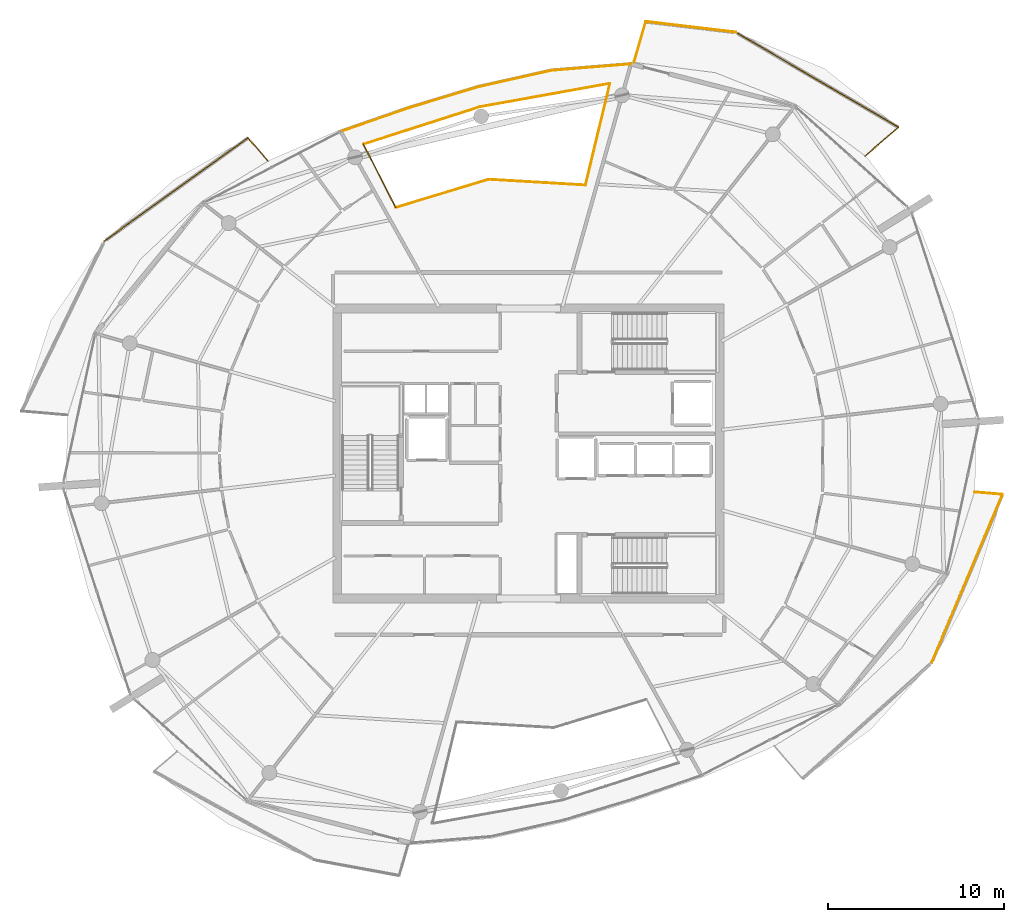
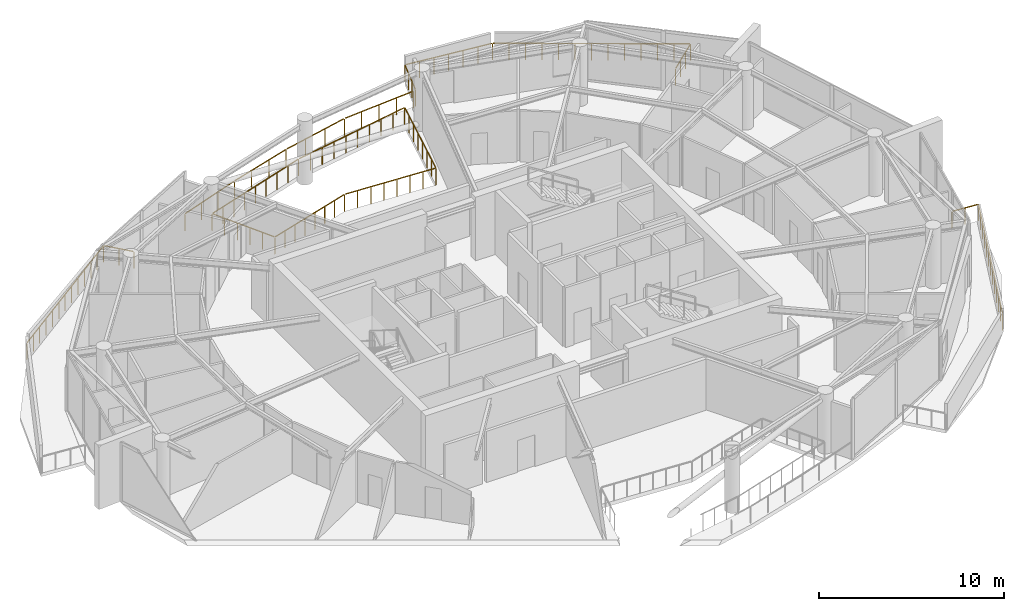
# One storey, part 22 of 22: 15 railings.
"""IFC4 building model written with IfcOpenShell, lengths in metres."""

from ifc_helpers import new_model, si_unit, direction, frame, origin, origin_2d, place, context, subcontext, project, spatial, rectangle, extrude, material, type_object, element, save


model = new_model("IFC4")

# Units and contexts
model_context = context("Model", 3, precision=1e-05, world=origin(), true_north=direction((0.0, 1.0)))
body_context = subcontext(model_context, "Body", "Model", "MODEL_VIEW")
ifc_project = project(units=[si_unit("LENGTHUNIT", "METRE"), si_unit("AREAUNIT", "SQUARE_METRE"), si_unit("VOLUMEUNIT", "CUBIC_METRE"), si_unit("PLANEANGLEUNIT", "RADIAN"), si_unit("MASSUNIT", "GRAM", prefix="KILO")], contexts=[model_context])

# Site, building, storey
site_placement = place(None, origin())
site = spatial("IfcSite", under=ifc_project, at=site_placement, CompositionType="ELEMENT")
building_placement = place(site_placement, origin())
building = spatial("IfcBuilding", under=site, at=building_placement, Name="Kazma Halo Residences", CompositionType="ELEMENT")
storey_placement = place(building_placement, frame((0.0, 0.0, 322.10009765625)))
storey = spatial("IfcBuildingStorey", under=building, at=storey_placement, Name="L81", CompositionType="ELEMENT", Elevation=322.10009765625)

# Railings
ifc_material_1 = material(Name="Aluminium AW-6063 T6 Brushed Cap Rail", Category="aluminium")
railing_type_1 = type_object("IfcRailingType", Name="RLG-BAL-CAP-1120", PredefinedType="BALUSTRADE", material=ifc_material_1)
railing_1_placement = place(storey_placement, frame((67.578369140625, 58.929443359375, 0.0)))
element("IfcRailing", 1, at=railing_1_placement, inside=storey, type_object=railing_type_1, Name="L81 NE wave balcony guard 1", PredefinedType="BALUSTRADE", context=body_context, shape_type="SweptSolid", body=[
    extrude(rectangle(XDim=0.050048828125, YDim=0.050048828125, at=origin_2d()), frame((0.0322265625, 0.02783203125, 1.09521484375), z_axis=(0.756399857186, 0.654109513805, 0.0), x_axis=(-0.654109513805, 0.756399857186, 0.0)), (0.0, 0.0, 1.0), 2.40673828125),
    extrude(rectangle(XDim=0.0400390625, YDim=0.0400390625, at=origin_2d()), origin(), (0.0, 0.0, 1.0), 1.05810546875),
    extrude(rectangle(XDim=0.0400390625, YDim=0.0400390625, at=origin_2d()), frame((0.628173828125, 0.543212890625, 0.0)), (0.0, 0.0, 1.0), 1.05810546875),
    extrude(rectangle(XDim=0.0400390625, YDim=0.0400390625, at=origin_2d()), frame((1.256591796875, 1.086669921875, 0.0)), (0.0, 0.0, 1.0), 1.05810546875),
    extrude(rectangle(XDim=0.0400390625, YDim=0.0400390625, at=origin_2d()), frame((1.884765625, 1.6298828125, 0.0)), (0.0, 0.0, 1.0), 1.05810546875),
])
railing_2_placement = place(storey_placement, frame((69.463134765625, 60.559326171875, 0.0)))
element("IfcRailing", 2, at=railing_2_placement, inside=storey, type_object=railing_type_1, Name="L81 NE wave balcony guard 2", PredefinedType="BALUSTRADE", context=body_context, shape_type="SweptSolid", body=[
    extrude(rectangle(XDim=0.050048828125, YDim=0.050048828125, at=origin_2d()), frame((-0.03662109375, 0.021484375, 1.09521484375), z_axis=(-0.863581334001, 0.504209559176, 0.0), x_axis=(-0.504209559176, -0.863581334001, 0.0)), (0.0, 0.0, 1.0), 10.63037109375),
    extrude(rectangle(XDim=0.0400390625, YDim=0.0400390625, at=origin_2d()), origin(), (0.0, 0.0, 1.0), 1.05810546875),
    extrude(rectangle(XDim=0.0400390625, YDim=0.0400390625, at=origin_2d()), frame((-0.771240234375, 0.4501953125, 0.0)), (0.0, 0.0, 1.0), 1.05810546875),
    extrude(rectangle(XDim=0.0400390625, YDim=0.0400390625, at=origin_2d()), frame((-1.542236328125, 0.900390625, 0.0)), (0.0, 0.0, 1.0), 1.05810546875),
    extrude(rectangle(XDim=0.0400390625, YDim=0.0400390625, at=origin_2d()), frame((-2.3134765625, 1.3505859375, 0.0)), (0.0, 0.0, 1.0), 1.05810546875),
    extrude(rectangle(XDim=0.0400390625, YDim=0.0400390625, at=origin_2d()), frame((-3.08447265625, 1.801025390625, 0.0)), (0.0, 0.0, 1.0), 1.05810546875),
    extrude(rectangle(XDim=0.0400390625, YDim=0.0400390625, at=origin_2d()), frame((-3.855712890625, 2.251220703125, 0.0)), (0.0, 0.0, 1.0), 1.05810546875),
    extrude(rectangle(XDim=0.0400390625, YDim=0.0400390625, at=origin_2d()), frame((-4.626953125, 2.701416015625, 0.0)), (0.0, 0.0, 1.0), 1.05810546875),
    extrude(rectangle(XDim=0.0400390625, YDim=0.0400390625, at=origin_2d()), frame((-5.39794921875, 3.151611328125, 0.0)), (0.0, 0.0, 1.0), 1.05810546875),
    extrude(rectangle(XDim=0.0400390625, YDim=0.0400390625, at=origin_2d()), frame((-6.169189453125, 3.601806640625, 0.0)), (0.0, 0.0, 1.0), 1.05810546875),
    extrude(rectangle(XDim=0.0400390625, YDim=0.0400390625, at=origin_2d()), frame((-6.940185546875, 4.05224609375, 0.0)), (0.0, 0.0, 1.0), 1.05810546875),
    extrude(rectangle(XDim=0.0400390625, YDim=0.0400390625, at=origin_2d()), frame((-7.71142578125, 4.50244140625, 0.0)), (0.0, 0.0, 1.0), 1.05810546875),
    extrude(rectangle(XDim=0.0400390625, YDim=0.0400390625, at=origin_2d()), frame((-8.482421875, 4.95263671875, 0.0)), (0.0, 0.0, 1.0), 1.05810546875),
    extrude(rectangle(XDim=0.0400390625, YDim=0.0400390625, at=origin_2d()), frame((-9.253662109375, 5.40283203125, 0.0)), (0.0, 0.0, 1.0), 1.05810546875),
])
railing_3_placement = place(storey_placement, frame((60.20947265625, 65.962158203125, 0.0)))
element("IfcRailing", 3, at=railing_3_placement, inside=storey, type_object=railing_type_1, Name="L81 NE wave balcony guard 3", PredefinedType="BALUSTRADE", context=body_context, shape_type="SweptSolid", body=[
    extrude(rectangle(XDim=0.050048828125, YDim=0.050048828125, at=origin_2d()), frame((-0.042236328125, 0.005126953125, 1.09521484375), z_axis=(-0.993029786506, 0.11786366324, 0.0), x_axis=(-0.11786366324, -0.993029786506, 0.0)), (0.0, 0.0, 1.0), 5.068603515625),
    extrude(rectangle(XDim=0.0400390625, YDim=0.0400390625, at=origin_2d()), origin(), (0.0, 0.0, 1.0), 1.05810546875),
    extrude(rectangle(XDim=0.0400390625, YDim=0.0400390625, at=origin_2d()), frame((-0.85302734375, 0.101318359375, 0.0)), (0.0, 0.0, 1.0), 1.05810546875),
    extrude(rectangle(XDim=0.0400390625, YDim=0.0400390625, at=origin_2d()), frame((-1.705810546875, 0.202392578125, 0.0)), (0.0, 0.0, 1.0), 1.05810546875),
    extrude(rectangle(XDim=0.0400390625, YDim=0.0400390625, at=origin_2d()), frame((-2.558837890625, 0.3037109375, 0.0)), (0.0, 0.0, 1.0), 1.05810546875),
    extrude(rectangle(XDim=0.0400390625, YDim=0.0400390625, at=origin_2d()), frame((-3.411865234375, 0.405029296875, 0.0)), (0.0, 0.0, 1.0), 1.05810546875),
    extrude(rectangle(XDim=0.0400390625, YDim=0.0400390625, at=origin_2d()), frame((-4.2646484375, 0.506103515625, 0.0)), (0.0, 0.0, 1.0), 1.05810546875),
    extrude(rectangle(XDim=0.0400390625, YDim=0.0400390625, at=origin_2d()), frame((-5.11767578125, 0.607421875, 0.0)), (0.0, 0.0, 1.0), 1.05810546875),
])
railing_4_placement = place(storey_placement, frame((55.091796875, 66.569580078125, 0.0)))
element("IfcRailing", 4, at=railing_4_placement, inside=storey, type_object=railing_type_1, Name="L81 NE wave balcony guard 4", PredefinedType="BALUSTRADE", context=body_context, shape_type="SweptSolid", body=[
    extrude(rectangle(XDim=0.050048828125, YDim=0.050048828125, at=origin_2d()), frame((-0.01171875, -0.040771484375, 1.09521484375), z_axis=(-0.277369270014, -0.960763388172, 0.0), x_axis=(0.960763388172, -0.277369270014, 0.0)), (0.0, 0.0, 1.0), 2.324951171875),
    extrude(rectangle(XDim=0.0400390625, YDim=0.0400390625, at=origin_2d()), origin(), (0.0, 0.0, 1.0), 1.05810546875),
    extrude(rectangle(XDim=0.0400390625, YDim=0.0400390625, at=origin_2d()), frame((-0.222900390625, -0.771728515625, 0.0)), (0.0, 0.0, 1.0), 1.05810546875),
    extrude(rectangle(XDim=0.0400390625, YDim=0.0400390625, at=origin_2d()), frame((-0.445556640625, -1.543701171875, 0.0)), (0.0, 0.0, 1.0), 1.05810546875),
    extrude(rectangle(XDim=0.0400390625, YDim=0.0400390625, at=origin_2d()), frame((-0.66845703125, -2.3154296875, 0.0)), (0.0, 0.0, 1.0), 1.05810546875),
])
railing_5_placement = place(storey_placement, frame((33.61181640625, 58.639404296875, 0.0)))
element("IfcRailing", 5, at=railing_5_placement, inside=storey, type_object=railing_type_1, Name="L81 NW wave balcony guard 1", PredefinedType="BALUSTRADE", context=body_context, shape_type="SweptSolid", body=[
    extrude(rectangle(XDim=0.050048828125, YDim=0.050048828125, at=origin_2d()), frame((-0.02783203125, 0.0322265625, 1.09521484375), z_axis=(-0.6540417477, 0.75645845376, 0.0), x_axis=(-0.75645845376, -0.6540417477, 0.0)), (0.0, 0.0, 1.0), 1.662353515625),
    extrude(rectangle(XDim=0.0400390625, YDim=0.0400390625, at=origin_2d()), origin(), (0.0, 0.0, 1.0), 1.05810546875),
    extrude(rectangle(XDim=0.0400390625, YDim=0.0400390625, at=origin_2d()), frame((-0.5712890625, 0.660888671875, 0.0)), (0.0, 0.0, 1.0), 1.05810546875),
    extrude(rectangle(XDim=0.0400390625, YDim=0.0400390625, at=origin_2d()), frame((-1.142822265625, 1.32177734375, 0.0)), (0.0, 0.0, 1.0), 1.05810546875),
])
railing_6_placement = place(storey_placement, frame((32.468994140625, 59.961181640625, 0.0)))
element("IfcRailing", 6, at=railing_6_placement, inside=storey, type_object=railing_type_1, Name="L81 NW wave balcony guard 2", PredefinedType="BALUSTRADE", context=body_context, shape_type="SweptSolid", body=[
    extrude(rectangle(XDim=0.050048828125, YDim=0.050048828125, at=origin_2d()), frame((-0.034423828125, -0.02490234375, 1.09521484375), z_axis=(-0.812017165891, -0.583633551382, 0.0), x_axis=(0.583633551382, -0.812017165891, 0.0)), (0.0, 0.0, 1.0), 9.989013671875),
    extrude(rectangle(XDim=0.0400390625, YDim=0.0400390625, at=origin_2d()), origin(), (0.0, 0.0, 1.0), 1.05810546875),
    extrude(rectangle(XDim=0.0400390625, YDim=0.0400390625, at=origin_2d()), frame((-0.681640625, -0.489990234375, 0.0)), (0.0, 0.0, 1.0), 1.05810546875),
    extrude(rectangle(XDim=0.0400390625, YDim=0.0400390625, at=origin_2d()), frame((-1.36328125, -0.97998046875, 0.0)), (0.0, 0.0, 1.0), 1.05810546875),
    extrude(rectangle(XDim=0.0400390625, YDim=0.0400390625, at=origin_2d()), frame((-2.045166015625, -1.469970703125, 0.0)), (0.0, 0.0, 1.0), 1.05810546875),
    extrude(rectangle(XDim=0.0400390625, YDim=0.0400390625, at=origin_2d()), frame((-2.726806640625, -1.9599609375, 0.0)), (0.0, 0.0, 1.0), 1.05810546875),
    extrude(rectangle(XDim=0.0400390625, YDim=0.0400390625, at=origin_2d()), frame((-3.408447265625, -2.449951171875, 0.0)), (0.0, 0.0, 1.0), 1.05810546875),
    extrude(rectangle(XDim=0.0400390625, YDim=0.0400390625, at=origin_2d()), frame((-4.09033203125, -2.93994140625, 0.0)), (0.0, 0.0, 1.0), 1.05810546875),
    extrude(rectangle(XDim=0.0400390625, YDim=0.0400390625, at=origin_2d()), frame((-4.77197265625, -3.4296875, 0.0)), (0.0, 0.0, 1.0), 1.05810546875),
    extrude(rectangle(XDim=0.0400390625, YDim=0.0400390625, at=origin_2d()), frame((-5.45361328125, -3.919677734375, 0.0)), (0.0, 0.0, 1.0), 1.05810546875),
    extrude(rectangle(XDim=0.0400390625, YDim=0.0400390625, at=origin_2d()), frame((-6.13525390625, -4.40966796875, 0.0)), (0.0, 0.0, 1.0), 1.05810546875),
    extrude(rectangle(XDim=0.0400390625, YDim=0.0400390625, at=origin_2d()), frame((-6.81689453125, -4.899658203125, 0.0)), (0.0, 0.0, 1.0), 1.05810546875),
    extrude(rectangle(XDim=0.0400390625, YDim=0.0400390625, at=origin_2d()), frame((-7.498779296875, -5.3896484375, 0.0)), (0.0, 0.0, 1.0), 1.05810546875),
    extrude(rectangle(XDim=0.0400390625, YDim=0.0400390625, at=origin_2d()), frame((-8.180419921875, -5.879638671875, 0.0)), (0.0, 0.0, 1.0), 1.05810546875),
])
railing_7_placement = place(storey_placement, frame((71.356689453125, 30.09912109375, 0.0)))
element("IfcRailing", 7, at=railing_7_placement, inside=storey, type_object=railing_type_1, Name="L81 SE wave balcony guard 3", PredefinedType="BALUSTRADE", context=body_context, shape_type="SweptSolid", body=[
    extrude(rectangle(XDim=0.050048828125, YDim=0.050048828125, at=origin_2d()), frame((0.0166015625, 0.039306640625, 1.09521484375), z_axis=(0.38744861848, 0.92189129947, 0.0), x_axis=(-0.92189129947, 0.38744861848, 0.0)), (0.0, 0.0, 1.0), 10.3037109375),
    extrude(rectangle(XDim=0.0400390625, YDim=0.0400390625, at=origin_2d()), origin(), (0.0, 0.0, 1.0), 1.05810546875),
    extrude(rectangle(XDim=0.0400390625, YDim=0.0400390625, at=origin_2d()), frame((0.33544921875, 0.798095703125, 0.0)), (0.0, 0.0, 1.0), 1.05810546875),
    extrude(rectangle(XDim=0.0400390625, YDim=0.0400390625, at=origin_2d()), frame((0.6708984375, 1.59619140625, 0.0)), (0.0, 0.0, 1.0), 1.05810546875),
    extrude(rectangle(XDim=0.0400390625, YDim=0.0400390625, at=origin_2d()), frame((1.00634765625, 2.394287109375, 0.0)), (0.0, 0.0, 1.0), 1.05810546875),
    extrude(rectangle(XDim=0.0400390625, YDim=0.0400390625, at=origin_2d()), frame((1.341796875, 3.1923828125, 0.0)), (0.0, 0.0, 1.0), 1.05810546875),
    extrude(rectangle(XDim=0.0400390625, YDim=0.0400390625, at=origin_2d()), frame((1.67724609375, 3.990478515625, 0.0)), (0.0, 0.0, 1.0), 1.05810546875),
    extrude(rectangle(XDim=0.0400390625, YDim=0.0400390625, at=origin_2d()), frame((2.0126953125, 4.78857421875, 0.0)), (0.0, 0.0, 1.0), 1.05810546875),
    extrude(rectangle(XDim=0.0400390625, YDim=0.0400390625, at=origin_2d()), frame((2.347900390625, 5.5869140625, 0.0)), (0.0, 0.0, 1.0), 1.05810546875),
    extrude(rectangle(XDim=0.0400390625, YDim=0.0400390625, at=origin_2d()), frame((2.683349609375, 6.385009765625, 0.0)), (0.0, 0.0, 1.0), 1.05810546875),
    extrude(rectangle(XDim=0.0400390625, YDim=0.0400390625, at=origin_2d()), frame((3.018798828125, 7.18310546875, 0.0)), (0.0, 0.0, 1.0), 1.05810546875),
    extrude(rectangle(XDim=0.0400390625, YDim=0.0400390625, at=origin_2d()), frame((3.354248046875, 7.981201171875, 0.0)), (0.0, 0.0, 1.0), 1.05810546875),
    extrude(rectangle(XDim=0.0400390625, YDim=0.0400390625, at=origin_2d()), frame((3.689697265625, 8.779296875, 0.0)), (0.0, 0.0, 1.0), 1.05810546875),
    extrude(rectangle(XDim=0.0400390625, YDim=0.0400390625, at=origin_2d()), frame((4.025146484375, 9.577392578125, 0.0)), (0.0, 0.0, 1.0), 1.05810546875),
])
railing_8_placement = place(storey_placement, frame((75.3818359375, 39.676513671875, 0.0)))
element("IfcRailing", 8, at=railing_8_placement, inside=storey, type_object=railing_type_1, Name="L81 SE wave balcony guard 4", PredefinedType="BALUSTRADE", context=body_context, shape_type="SweptSolid", body=[
    extrude(rectangle(XDim=0.050048828125, YDim=0.050048828125, at=origin_2d()), frame((-0.04248046875, 0.003662109375, 1.09521484375), z_axis=(-0.996409537018, 0.084664245937, 0.0), x_axis=(-0.084664245937, -0.996409537018, 0.0)), (0.0, 0.0, 1.0), 1.512451171875),
    extrude(rectangle(XDim=0.0400390625, YDim=0.0400390625, at=origin_2d()), origin(), (0.0, 0.0, 1.0), 1.05810546875),
    extrude(rectangle(XDim=0.0400390625, YDim=0.0400390625, at=origin_2d()), frame((-0.7958984375, 0.067626953125, 0.0)), (0.0, 0.0, 1.0), 1.05810546875),
    extrude(rectangle(XDim=0.0400390625, YDim=0.0400390625, at=origin_2d()), frame((-1.591796875, 0.13525390625, 0.0)), (0.0, 0.0, 1.0), 1.05810546875),
])
ifc_material_2 = material(Name="Brushed Stainless Steel and Laminated Glass", Category="steel")
railing_type_2 = type_object("IfcRailingType", Name="RLG-EXT-GUARD-1150", PredefinedType="GUARDRAIL", material=ifc_material_2)
railing_9_placement = place(storey_placement, frame((51.6650390625, 57.26611328125, 0.0)))
element("IfcRailing", 9, at=railing_9_placement, inside=storey, type_object=railing_type_2, Name="L81 upper wind-portal edge guard 1.1", PredefinedType="GUARDRAIL", context=body_context, shape_type="SweptSolid", body=[
    extrude(rectangle(XDim=0.050048828125, YDim=0.050048828125, at=origin_2d()), frame((-0.04248046875, 0.00244140625, 1.125), z_axis=(-0.998263068552, 0.058913886013, 0.0), x_axis=(-0.058913886013, -0.998263068552, 0.0)), (0.0, 0.0, 1.0), 5.434814453125),
    extrude(rectangle(XDim=0.0400390625, YDim=0.0400390625, at=origin_2d()), origin(), (0.0, 0.0, 1.0), 1.087890625),
    extrude(rectangle(XDim=0.0400390625, YDim=0.0400390625, at=origin_2d()), frame((-0.787109375, 0.04638671875, 0.0)), (0.0, 0.0, 1.0), 1.087890625),
    extrude(rectangle(XDim=0.0400390625, YDim=0.0400390625, at=origin_2d()), frame((-1.574462890625, 0.093017578125, 0.0)), (0.0, 0.0, 1.0), 1.087890625),
    extrude(rectangle(XDim=0.0400390625, YDim=0.0400390625, at=origin_2d()), frame((-2.361572265625, 0.139404296875, 0.0)), (0.0, 0.0, 1.0), 1.087890625),
    extrude(rectangle(XDim=0.0400390625, YDim=0.0400390625, at=origin_2d()), frame((-3.148681640625, 0.185791015625, 0.0)), (0.0, 0.0, 1.0), 1.087890625),
    extrude(rectangle(XDim=0.0400390625, YDim=0.0400390625, at=origin_2d()), frame((-3.935791015625, 0.232177734375, 0.0)), (0.0, 0.0, 1.0), 1.087890625),
    extrude(rectangle(XDim=0.0400390625, YDim=0.0400390625, at=origin_2d()), frame((-4.72314453125, 0.27880859375, 0.0)), (0.0, 0.0, 1.0), 1.087890625),
    extrude(rectangle(XDim=0.0400390625, YDim=0.0400390625, at=origin_2d()), frame((-5.51025390625, 0.3251953125, 0.0)), (0.0, 0.0, 1.0), 1.087890625),
])
railing_10_placement = place(storey_placement, frame((46.15478515625, 57.59130859375, 0.0)))
element("IfcRailing", 10, at=railing_10_placement, inside=storey, type_object=railing_type_2, Name="L81 upper wind-portal edge guard 1.2", PredefinedType="GUARDRAIL", context=body_context, shape_type="SweptSolid", body=[
    extrude(rectangle(XDim=0.050048828125, YDim=0.050048828125, at=origin_2d()), frame((-0.040771484375, -0.012451171875, 1.125), z_axis=(-0.956934342561, -0.290304433358, 0.0), x_axis=(0.290304433358, -0.956934342561, 0.0)), (0.0, 0.0, 1.0), 5.43505859375),
    extrude(rectangle(XDim=0.0400390625, YDim=0.0400390625, at=origin_2d()), origin(), (0.0, 0.0, 1.0), 1.087890625),
    extrude(rectangle(XDim=0.0400390625, YDim=0.0400390625, at=origin_2d()), frame((-0.754638671875, -0.22900390625, 0.0)), (0.0, 0.0, 1.0), 1.087890625),
    extrude(rectangle(XDim=0.0400390625, YDim=0.0400390625, at=origin_2d()), frame((-1.50927734375, -0.457763671875, 0.0)), (0.0, 0.0, 1.0), 1.087890625),
    extrude(rectangle(XDim=0.0400390625, YDim=0.0400390625, at=origin_2d()), frame((-2.263916015625, -0.686767578125, 0.0)), (0.0, 0.0, 1.0), 1.087890625),
    extrude(rectangle(XDim=0.0400390625, YDim=0.0400390625, at=origin_2d()), frame((-3.0185546875, -0.915771484375, 0.0)), (0.0, 0.0, 1.0), 1.087890625),
    extrude(rectangle(XDim=0.0400390625, YDim=0.0400390625, at=origin_2d()), frame((-3.773193359375, -1.144775390625, 0.0)), (0.0, 0.0, 1.0), 1.087890625),
    extrude(rectangle(XDim=0.0400390625, YDim=0.0400390625, at=origin_2d()), frame((-4.52783203125, -1.37353515625, 0.0)), (0.0, 0.0, 1.0), 1.087890625),
    extrude(rectangle(XDim=0.0400390625, YDim=0.0400390625, at=origin_2d()), frame((-5.282470703125, -1.6025390625, 0.0)), (0.0, 0.0, 1.0), 1.087890625),
])
railing_11_placement = place(storey_placement, frame((40.872314453125, 55.98876953125, 0.0)))
element("IfcRailing", 11, at=railing_11_placement, inside=storey, type_object=railing_type_2, Name="L81 upper wind-portal edge guard 1.3", PredefinedType="GUARDRAIL", context=body_context, shape_type="SweptSolid", body=[
    extrude(rectangle(XDim=0.050048828125, YDim=0.050048828125, at=origin_2d()), frame((-0.019287109375, 0.037841796875, 1.125), z_axis=(-0.453986372723, 0.891008626996, 0.0), x_axis=(-0.891008626996, -0.453986372723, 0.0)), (0.0, 0.0, 1.0), 3.958984375),
    extrude(rectangle(XDim=0.0400390625, YDim=0.0400390625, at=origin_2d()), origin(), (0.0, 0.0, 1.0), 1.087890625),
    extrude(rectangle(XDim=0.0400390625, YDim=0.0400390625, at=origin_2d()), frame((-0.3671875, 0.720703125, 0.0)), (0.0, 0.0, 1.0), 1.087890625),
    extrude(rectangle(XDim=0.0400390625, YDim=0.0400390625, at=origin_2d()), frame((-0.734375, 1.44140625, 0.0)), (0.0, 0.0, 1.0), 1.087890625),
    extrude(rectangle(XDim=0.0400390625, YDim=0.0400390625, at=origin_2d()), frame((-1.1015625, 2.161865234375, 0.0)), (0.0, 0.0, 1.0), 1.087890625),
    extrude(rectangle(XDim=0.0400390625, YDim=0.0400390625, at=origin_2d()), frame((-1.46875, 2.882568359375, 0.0)), (0.0, 0.0, 1.0), 1.087890625),
    extrude(rectangle(XDim=0.0400390625, YDim=0.0400390625, at=origin_2d()), frame((-1.8359375, 3.603271484375, 0.0)), (0.0, 0.0, 1.0), 1.087890625),
])
railing_12_placement = place(storey_placement, frame((39.036376953125, 59.592041015625, 0.0)))
element("IfcRailing", 12, at=railing_12_placement, inside=storey, type_object=railing_type_2, Name="L81 upper wind-portal edge guard 1.4", PredefinedType="GUARDRAIL", context=body_context, shape_type="SweptSolid", body=[
    extrude(rectangle(XDim=0.050048828125, YDim=0.050048828125, at=origin_2d()), frame((0.04052734375, 0.012939453125, 1.125), z_axis=(0.952165276882, 0.305583516407, 0.0), x_axis=(-0.305583516407, 0.952165276882, 0.0)), (0.0, 0.0, 1.0), 6.877685546875),
    extrude(rectangle(XDim=0.0400390625, YDim=0.0400390625, at=origin_2d()), origin(), (0.0, 0.0, 1.0), 1.087890625),
    extrude(rectangle(XDim=0.0400390625, YDim=0.0400390625, at=origin_2d()), frame((0.82861328125, 0.265869140625, 0.0)), (0.0, 0.0, 1.0), 1.087890625),
    extrude(rectangle(XDim=0.0400390625, YDim=0.0400390625, at=origin_2d()), frame((1.657470703125, 0.531982421875, 0.0)), (0.0, 0.0, 1.0), 1.087890625),
    extrude(rectangle(XDim=0.0400390625, YDim=0.0400390625, at=origin_2d()), frame((2.486083984375, 0.7978515625, 0.0)), (0.0, 0.0, 1.0), 1.087890625),
    extrude(rectangle(XDim=0.0400390625, YDim=0.0400390625, at=origin_2d()), frame((3.31494140625, 1.06396484375, 0.0)), (0.0, 0.0, 1.0), 1.087890625),
    extrude(rectangle(XDim=0.0400390625, YDim=0.0400390625, at=origin_2d()), frame((4.1435546875, 1.329833984375, 0.0)), (0.0, 0.0, 1.0), 1.087890625),
    extrude(rectangle(XDim=0.0400390625, YDim=0.0400390625, at=origin_2d()), frame((4.97216796875, 1.595703125, 0.0)), (0.0, 0.0, 1.0), 1.087890625),
    extrude(rectangle(XDim=0.0400390625, YDim=0.0400390625, at=origin_2d()), frame((5.801025390625, 1.86181640625, 0.0)), (0.0, 0.0, 1.0), 1.087890625),
    extrude(rectangle(XDim=0.0400390625, YDim=0.0400390625, at=origin_2d()), frame((6.629638671875, 2.127685546875, 0.0)), (0.0, 0.0, 1.0), 1.087890625),
])
railing_13_placement = place(storey_placement, frame((45.666015625, 61.7197265625, 0.0)))
element("IfcRailing", 13, at=railing_13_placement, inside=storey, type_object=railing_type_2, Name="L81 upper wind-portal edge guard 1.5", PredefinedType="GUARDRAIL", context=body_context, shape_type="SweptSolid", body=[
    extrude(rectangle(XDim=0.050048828125, YDim=0.050048828125, at=origin_2d()), frame((0.0419921875, 0.007568359375, 1.125), z_axis=(0.984235798799, 0.176861223455, 0.0), x_axis=(-0.176861223455, 0.984235798799, 0.0)), (0.0, 0.0, 1.0), 7.420166015625),
    extrude(rectangle(XDim=0.0400390625, YDim=0.0400390625, at=origin_2d()), origin(), (0.0, 0.0, 1.0), 1.087890625),
    extrude(rectangle(XDim=0.0400390625, YDim=0.0400390625, at=origin_2d()), frame((0.82080078125, 0.1474609375, 0.0)), (0.0, 0.0, 1.0), 1.087890625),
    extrude(rectangle(XDim=0.0400390625, YDim=0.0400390625, at=origin_2d()), frame((1.6416015625, 0.294921875, 0.0)), (0.0, 0.0, 1.0), 1.087890625),
    extrude(rectangle(XDim=0.0400390625, YDim=0.0400390625, at=origin_2d()), frame((2.46240234375, 0.4423828125, 0.0)), (0.0, 0.0, 1.0), 1.087890625),
    extrude(rectangle(XDim=0.0400390625, YDim=0.0400390625, at=origin_2d()), frame((3.283203125, 0.58984375, 0.0)), (0.0, 0.0, 1.0), 1.087890625),
    extrude(rectangle(XDim=0.0400390625, YDim=0.0400390625, at=origin_2d()), frame((4.103759765625, 0.737548828125, 0.0)), (0.0, 0.0, 1.0), 1.087890625),
    extrude(rectangle(XDim=0.0400390625, YDim=0.0400390625, at=origin_2d()), frame((4.924560546875, 0.885009765625, 0.0)), (0.0, 0.0, 1.0), 1.087890625),
    extrude(rectangle(XDim=0.0400390625, YDim=0.0400390625, at=origin_2d()), frame((5.745361328125, 1.032470703125, 0.0)), (0.0, 0.0, 1.0), 1.087890625),
    extrude(rectangle(XDim=0.0400390625, YDim=0.0400390625, at=origin_2d()), frame((6.566162109375, 1.179931640625, 0.0)), (0.0, 0.0, 1.0), 1.087890625),
    extrude(rectangle(XDim=0.0400390625, YDim=0.0400390625, at=origin_2d()), frame((7.386962890625, 1.327392578125, 0.0)), (0.0, 0.0, 1.0), 1.087890625),
])
railing_14_placement = place(storey_placement, frame((53.052978515625, 63.047119140625, 0.0)))
element("IfcRailing", 14, at=railing_14_placement, inside=storey, type_object=railing_type_2, Name="L81 upper wind-portal edge guard 1.6", PredefinedType="GUARDRAIL", context=body_context, shape_type="SweptSolid", body=[
    extrude(rectangle(XDim=0.050048828125, YDim=0.050048828125, at=origin_2d()), frame((-0.010009765625, -0.041259765625, 1.125), z_axis=(-0.233452160997, -0.972368288523, 0.0), x_axis=(0.972368288523, -0.233452160997, 0.0)), (0.0, 0.0, 1.0), 5.860107421875),
    extrude(rectangle(XDim=0.0400390625, YDim=0.0400390625, at=origin_2d()), origin(), (0.0, 0.0, 1.0), 1.087890625),
    extrude(rectangle(XDim=0.0400390625, YDim=0.0400390625, at=origin_2d()), frame((-0.1982421875, -0.825927734375, 0.0)), (0.0, 0.0, 1.0), 1.087890625),
    extrude(rectangle(XDim=0.0400390625, YDim=0.0400390625, at=origin_2d()), frame((-0.396484375, -1.651611328125, 0.0)), (0.0, 0.0, 1.0), 1.087890625),
    extrude(rectangle(XDim=0.0400390625, YDim=0.0400390625, at=origin_2d()), frame((-0.5947265625, -2.4775390625, 0.0)), (0.0, 0.0, 1.0), 1.087890625),
    extrude(rectangle(XDim=0.0400390625, YDim=0.0400390625, at=origin_2d()), frame((-0.793212890625, -3.303466796875, 0.0)), (0.0, 0.0, 1.0), 1.087890625),
    extrude(rectangle(XDim=0.0400390625, YDim=0.0400390625, at=origin_2d()), frame((-0.991455078125, -4.12939453125, 0.0)), (0.0, 0.0, 1.0), 1.087890625),
    extrude(rectangle(XDim=0.0400390625, YDim=0.0400390625, at=origin_2d()), frame((-1.189697265625, -4.955078125, 0.0)), (0.0, 0.0, 1.0), 1.087890625),
    extrude(rectangle(XDim=0.0400390625, YDim=0.0400390625, at=origin_2d()), frame((-1.387939453125, -5.781005859375, 0.0)), (0.0, 0.0, 1.0), 1.087890625),
])
railing_15_placement = place(storey_placement, frame((54.248046875, 64.15380859375, 0.0)))
element("IfcRailing", 15, at=railing_15_placement, inside=storey, type_object=railing_type_2, Name="L81 upper wind-portal outer rim guard 1", PredefinedType="GUARDRAIL", context=body_context, shape_type="SweptSolid", body=[
    extrude(rectangle(XDim=0.050048828125, YDim=0.050048828125, at=origin_2d()), frame((-0.04248046875, -0.00341796875, 1.125), z_axis=(-0.996709972845, -0.081050786741, 0.0), x_axis=(0.081050786741, -0.996709972845, 0.0)), (0.0, 0.0, 1.0), 4.46337890625),
    extrude(rectangle(XDim=0.050048828125, YDim=0.050048828125, at=origin_2d()), frame((-4.574951171875, -0.3779296875, 1.125), z_axis=(-0.975482432849, -0.220077311878, 0.0), x_axis=(0.220077311878, -0.975482432849, 0.0)), (0.0, 0.0, 1.0), 4.201416015625),
    extrude(rectangle(XDim=0.050048828125, YDim=0.050048828125, at=origin_2d()), frame((-8.755615234375, -1.32421875, 1.125), z_axis=(-0.957126127976, -0.289671495225, 0.0), x_axis=(0.289671495225, -0.957126127976, 0.0)), (0.0, 0.0, 1.0), 4.01025390625),
    extrude(rectangle(XDim=0.050048828125, YDim=0.050048828125, at=origin_2d()), frame((-12.6748046875, -2.51220703125, 1.125), z_axis=(-0.944594872531, -0.328238521184, 0.0), x_axis=(0.328238521184, -0.944594872531, 0.0)), (0.0, 0.0, 1.0), 4.01025390625),
    extrude(rectangle(XDim=0.0400390625, YDim=0.0400390625, at=origin_2d()), origin(), (0.0, 0.0, 1.0), 1.087890625),
    extrude(rectangle(XDim=0.0400390625, YDim=0.0400390625, at=origin_2d()), frame((-1.13330078125, -0.09228515625, 0.0)), (0.0, 0.0, 1.0), 1.087890625),
    extrude(rectangle(XDim=0.0400390625, YDim=0.0400390625, at=origin_2d()), frame((-2.2666015625, -0.184326171875, 0.0)), (0.0, 0.0, 1.0), 1.087890625),
    extrude(rectangle(XDim=0.0400390625, YDim=0.0400390625, at=origin_2d()), frame((-3.400146484375, -0.2763671875, 0.0)), (0.0, 0.0, 1.0), 1.087890625),
    extrude(rectangle(XDim=0.0400390625, YDim=0.0400390625, at=origin_2d()), frame((-4.533447265625, -0.36865234375, 0.0)), (0.0, 0.0, 1.0), 1.087890625),
    extrude(rectangle(XDim=0.0400390625, YDim=0.0400390625, at=origin_2d()), frame((-5.92724609375, -0.68310546875, 0.0)), (0.0, 0.0, 1.0), 1.087890625),
    extrude(rectangle(XDim=0.0400390625, YDim=0.0400390625, at=origin_2d()), frame((-7.321044921875, -0.99755859375, 0.0)), (0.0, 0.0, 1.0), 1.087890625),
    extrude(rectangle(XDim=0.0400390625, YDim=0.0400390625, at=origin_2d()), frame((-8.71484375, -1.31201171875, 0.0)), (0.0, 0.0, 1.0), 1.087890625),
    extrude(rectangle(XDim=0.0400390625, YDim=0.0400390625, at=origin_2d()), frame((-10.021484375, -1.70751953125, 0.0)), (0.0, 0.0, 1.0), 1.087890625),
    extrude(rectangle(XDim=0.0400390625, YDim=0.0400390625, at=origin_2d()), frame((-11.327880859375, -2.102783203125, 0.0)), (0.0, 0.0, 1.0), 1.087890625),
    extrude(rectangle(XDim=0.0400390625, YDim=0.0400390625, at=origin_2d()), frame((-12.634521484375, -2.498291015625, 0.0)), (0.0, 0.0, 1.0), 1.087890625),
    extrude(rectangle(XDim=0.0400390625, YDim=0.0400390625, at=origin_2d()), frame((-13.924072265625, -2.9462890625, 0.0)), (0.0, 0.0, 1.0), 1.087890625),
    extrude(rectangle(XDim=0.0400390625, YDim=0.0400390625, at=origin_2d()), frame((-15.21337890625, -3.39453125, 0.0)), (0.0, 0.0, 1.0), 1.087890625),
    extrude(rectangle(XDim=0.0400390625, YDim=0.0400390625, at=origin_2d()), frame((-16.5029296875, -3.842529296875, 0.0)), (0.0, 0.0, 1.0), 1.087890625),
])

save(model, "model.ifc")
